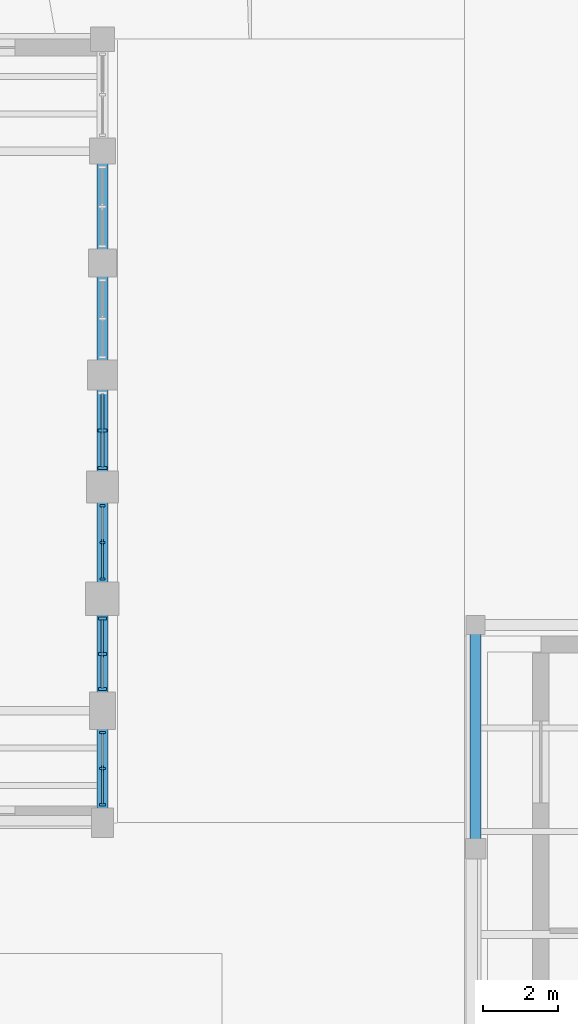
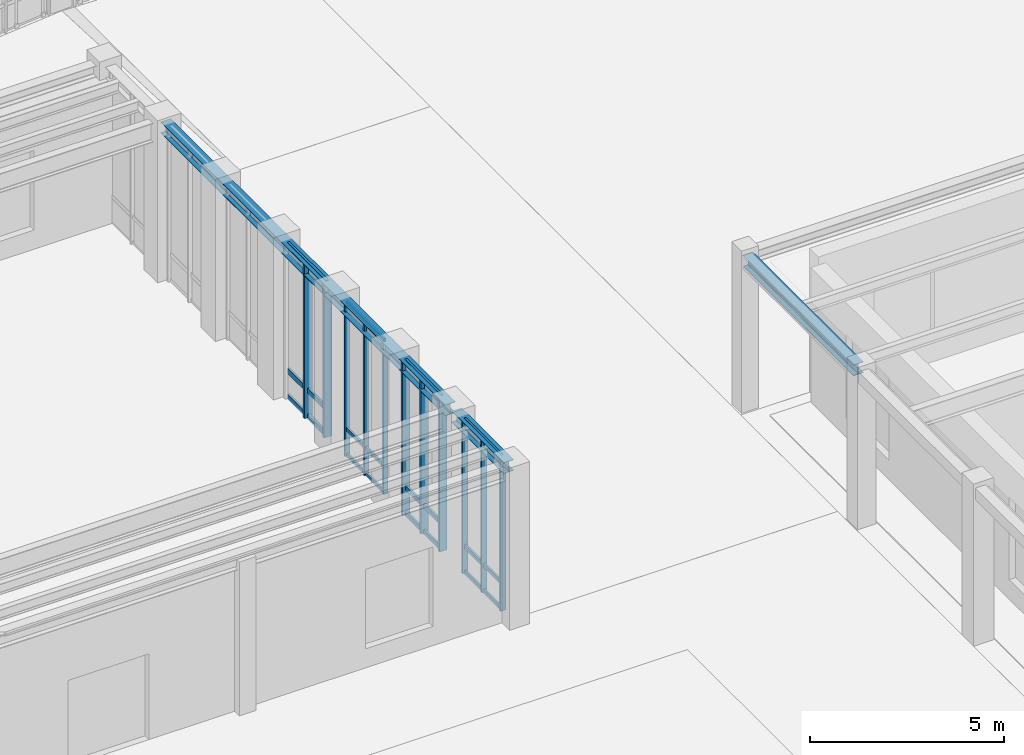
# One storey, part 12 of 68: 23 members, 3 beams, 4 elements without a shape of their own.
"""IFC4 building model written with IfcOpenShell, lengths in metres."""

from ifc_helpers import new_model, si_unit, direction, frame, origin, origin_2d, place, context, subcontext, project, spatial, rectangle, i_section, extrude, material, layer, layer_set, material_profile, profile_set, type_object, element, aggregate, save


model = new_model("IFC4")

# Units and contexts
model_context = context("Model", 3, precision=1e-05, world=origin(), true_north=direction((0.0, 1.0)))
body_context = subcontext(model_context, "Body", "Model", "MODEL_VIEW")
ifc_project = project(units=[si_unit("LENGTHUNIT", "METRE"), si_unit("AREAUNIT", "SQUARE_METRE"), si_unit("VOLUMEUNIT", "CUBIC_METRE"), si_unit("PLANEANGLEUNIT", "RADIAN"), si_unit("MASSUNIT", "GRAM", prefix="KILO"), si_unit("THERMODYNAMICTEMPERATUREUNIT", "KELVIN"), si_unit("POWERUNIT", "WATT")], contexts=[model_context])

# Site, building, storey
site_placement = place(None, origin())
site = spatial("IfcSite", under=ifc_project, at=site_placement, CompositionType="ELEMENT")
building_placement = place(site_placement, origin())
building = spatial("IfcBuilding", under=site, at=building_placement, Name="Solvatero Civic Police Headquarters", CompositionType="ELEMENT")
storey_placement = place(building_placement, origin())
storey = spatial("IfcBuildingStorey", under=building, at=storey_placement, Name="L00", CompositionType="ELEMENT", Elevation=0.0)

# Beams
ifc_material_1 = material(Name="Steel S355", Category="steel")
ifc_material_profile_1 = material_profile(ifc_material_1, i_section(OverallWidth=0.300048828125, OverallDepth=0.35009765625, WebThickness=0.010009765625, FlangeThickness=0.017578125, FilletRadius=0.027099609375, at=origin_2d()), Name="HEA 360")
ifc_profile_set_1 = profile_set([ifc_material_profile_1], Name="Steel S355")
beam_type = type_object("IfcBeamType", Name="BM-ST-HEA360", PredefinedType="SPANDREL", material=ifc_profile_set_1)
beam_1_placement = place(storey_placement, frame((88.800048828125, 41.659912109375, 4.705078125), z_axis=(0.0, 1.0, 0.0), x_axis=(-1.0, 0.0, 0.0)))
element("IfcBeam", 1, at=beam_1_placement, inside=storey, type_object=beam_type, Name="Perimeter / radial spandrel beam BM-R2-L00-V2-GY-2-1", PredefinedType="SPANDREL", context=body_context, shape_type="SweptSolid", body=[
    extrude(i_section(OverallWidth=0.300048828125, OverallDepth=0.35009765625, WebThickness=0.010009765625, FlangeThickness=0.017578125, FilletRadius=0.027099609375, at=origin_2d()), origin(), (0.0, 0.0, 1.0), 2.68017578125),
])
beam_2_placement = place(storey_placement, frame((88.800048828125, 44.659912109375, 4.705078125), z_axis=(0.0, 1.0, 0.0), x_axis=(-1.0, 0.0, 0.0)))
element("IfcBeam", 2, at=beam_2_placement, inside=storey, type_object=beam_type, Name="Perimeter / radial spandrel beam BM-R2-L00-V2-GY-2-2", PredefinedType="SPANDREL", context=body_context, shape_type="SweptSolid", body=[
    extrude(i_section(OverallWidth=0.300048828125, OverallDepth=0.35009765625, WebThickness=0.010009765625, FlangeThickness=0.017578125, FilletRadius=0.027099609375, at=origin_2d()), origin(), (0.0, 0.0, 1.0), 14.68017578125),
])
beam_3_placement = place(storey_placement, frame((98.800048828125, 40.9599609375, 4.705078125), z_axis=(0.0, 1.0, 0.0), x_axis=(-1.0, 0.0, 0.0)))
element("IfcBeam", 3, at=beam_3_placement, inside=storey, type_object=beam_type, Name="Perimeter / radial spandrel beam BM-R2-L00-V1-GY-1-3", PredefinedType="SPANDREL", context=body_context, shape_type="SweptSolid", body=[
    extrude(i_section(OverallWidth=0.300048828125, OverallDepth=0.35009765625, WebThickness=0.010009765625, FlangeThickness=0.017578125, FilletRadius=0.027099609375, at=origin_2d()), origin(), (0.0, 0.0, 1.0), 5.679931640625),
])

# Curtain wall, members
ifc_material_2 = material(Name="Anodized Bronze Aluminium", Category="aluminium")
ifc_layer = layer(ifc_material_2, 0.179931640625)
ifc_layer_set = layer_set([ifc_layer], Name="Anodized Bronze Aluminium")
curtain_wall_type = type_object("IfcCurtainWallType", Name="CW-HAL-GLZ", PredefinedType="USERDEFINED", material=ifc_layer_set)
curtain_wall_1_placement = place(storey_placement, origin())
curtain_wall_1 = element("IfcCurtainWall", 4, at=curtain_wall_1_placement, inside=storey, type_object=curtain_wall_type, Name="Curtain Wall CW-R2-L00-V2-E-B4", ObjectType="UNITISED", PredefinedType="USERDEFINED")
ifc_material_profile_2 = material_profile(ifc_material_2, rectangle(XDim=0.080078125, YDim=0.239990234375, at=origin_2d()), Name="ALU MULLION 80x240")
ifc_profile_set_2 = profile_set([ifc_material_profile_2], Name="Anodized Bronze Aluminium")
member_type_1 = type_object("IfcMemberType", Name="CWM-140x60", PredefinedType="MULLION", material=ifc_profile_set_2)
member_1_placement = place(storey_placement, frame((88.800048828125, 51.0048828125, 0.0), z_axis=(0.0, 0.0, 1.0), x_axis=(0.0, 1.0, 0.0)))
member_1 = element("IfcMember", 5, at=member_1_placement, type_object=member_type_1, Name="CW-R2-L00-V2-E-B4 Mullion 1", PredefinedType="MULLION", context=body_context, shape_type="SweptSolid", body=[
    extrude(rectangle(XDim=0.080078125, YDim=0.239990234375, at=origin_2d()), origin(), (0.0, 0.0, 1.0), 4.860107421875),
])
member_2_placement = place(storey_placement, frame((88.800048828125, 52.012451171875, 0.0), z_axis=(0.0, 0.0, 1.0), x_axis=(0.0, 1.0, 0.0)))
member_2 = element("IfcMember", 6, at=member_2_placement, type_object=member_type_1, Name="CW-R2-L00-V2-E-B4 Mullion 2", PredefinedType="MULLION", context=body_context, shape_type="SweptSolid", body=[
    extrude(rectangle(XDim=0.080078125, YDim=0.239990234375, at=origin_2d()), origin(), (0.0, 0.0, 1.0), 4.860107421875),
])

curtain_wall_2_placement = place(storey_placement, origin())
curtain_wall_2 = element("IfcCurtainWall", 7, at=curtain_wall_2_placement, inside=storey, type_object=curtain_wall_type, Name="Curtain Wall CW-R2-L00-V2-E-B3", ObjectType="UNITISED", PredefinedType="USERDEFINED")
ifc_material_profile_3 = material_profile(ifc_material_2, rectangle(XDim=0.06005859375, YDim=0.139892578125, at=origin_2d()), Name="ALU MULLION 60x140")
ifc_profile_set_3 = profile_set([ifc_material_profile_3], Name="Anodized Bronze Aluminium")
member_type_2 = type_object("IfcMemberType", Name="CWM-160x65", PredefinedType="MULLION", material=ifc_profile_set_3)
member_3_placement = place(storey_placement, frame((88.800048828125, 48.030029296875, 0.0), z_axis=(0.0, 0.0, 1.0), x_axis=(0.0, 1.0, 0.0)))
member_3 = element("IfcMember", 8, at=member_3_placement, type_object=member_type_2, Name="CW-R2-L00-V2-E-B3 Mullion 1", PredefinedType="MULLION", context=body_context, shape_type="SweptSolid", body=[
    extrude(rectangle(XDim=0.06005859375, YDim=0.139892578125, at=origin_2d()), origin(), (0.0, 0.0, 1.0), 4.860107421875),
])
member_4_placement = place(storey_placement, frame((88.800048828125, 49.012451171875, 0.0), z_axis=(0.0, 0.0, 1.0), x_axis=(0.0, 1.0, 0.0)))
member_4 = element("IfcMember", 9, at=member_4_placement, type_object=member_type_2, Name="CW-R2-L00-V2-E-B3 Mullion 2", PredefinedType="MULLION", context=body_context, shape_type="SweptSolid", body=[
    extrude(rectangle(XDim=0.06005859375, YDim=0.139892578125, at=origin_2d()), origin(), (0.0, 0.0, 1.0), 4.860107421875),
])
member_5_placement = place(storey_placement, frame((88.800048828125, 49.9951171875, 0.0), z_axis=(0.0, 0.0, 1.0), x_axis=(0.0, 1.0, 0.0)))
member_5 = element("IfcMember", 10, at=member_5_placement, type_object=member_type_2, Name="CW-R2-L00-V2-E-B3 Mullion 3", PredefinedType="MULLION", context=body_context, shape_type="SweptSolid", body=[
    extrude(rectangle(XDim=0.06005859375, YDim=0.139892578125, at=origin_2d()), origin(), (0.0, 0.0, 1.0), 4.860107421875),
])

curtain_wall_3_placement = place(storey_placement, origin())
curtain_wall_3 = element("IfcCurtainWall", 11, at=curtain_wall_3_placement, inside=storey, type_object=curtain_wall_type, Name="Curtain Wall CW-R2-L00-V2-E-B1", ObjectType="UNITISED", PredefinedType="USERDEFINED")
ifc_material_profile_4 = material_profile(ifc_material_2, rectangle(XDim=0.06005859375, YDim=0.159912109375, at=origin_2d()), Name="ALU MULLION 60x160")
ifc_profile_set_4 = profile_set([ifc_material_profile_4], Name="Anodized Bronze Aluminium")
member_type_3 = type_object("IfcMemberType", Name="CWM-180x70", PredefinedType="MULLION", material=ifc_profile_set_4)
member_6_placement = place(storey_placement, frame((88.800048828125, 41.97998046875, 0.0), z_axis=(0.0, 0.0, 1.0), x_axis=(0.0, 1.0, 0.0)))
member_6 = element("IfcMember", 12, at=member_6_placement, type_object=member_type_3, Name="CW-R2-L00-V2-E-B1 Mullion 1", PredefinedType="MULLION", context=body_context, shape_type="SweptSolid", body=[
    extrude(rectangle(XDim=0.06005859375, YDim=0.159912109375, at=origin_2d()), origin(), (0.0, 0.0, 1.0), 4.860107421875),
])
member_7_placement = place(storey_placement, frame((88.800048828125, 42.949951171875, 0.0), z_axis=(0.0, 0.0, 1.0), x_axis=(0.0, 1.0, 0.0)))
member_7 = element("IfcMember", 13, at=member_7_placement, type_object=member_type_3, Name="CW-R2-L00-V2-E-B1 Mullion 2", PredefinedType="MULLION", context=body_context, shape_type="SweptSolid", body=[
    extrude(rectangle(XDim=0.06005859375, YDim=0.159912109375, at=origin_2d()), origin(), (0.0, 0.0, 1.0), 4.860107421875),
])
member_8_placement = place(storey_placement, frame((88.800048828125, 43.919921875, 0.0), z_axis=(0.0, 0.0, 1.0), x_axis=(0.0, 1.0, 0.0)))
member_8 = element("IfcMember", 14, at=member_8_placement, type_object=member_type_3, Name="CW-R2-L00-V2-E-B1 Mullion 3", PredefinedType="MULLION", context=body_context, shape_type="SweptSolid", body=[
    extrude(rectangle(XDim=0.06005859375, YDim=0.159912109375, at=origin_2d()), origin(), (0.0, 0.0, 1.0), 4.860107421875),
])

curtain_wall_4_placement = place(storey_placement, origin())
curtain_wall_4 = element("IfcCurtainWall", 15, at=curtain_wall_4_placement, inside=storey, type_object=curtain_wall_type, Name="Curtain Wall CW-R2-L00-V2-E-B2", ObjectType="UNITISED", PredefinedType="USERDEFINED")
ifc_material_profile_5 = material_profile(ifc_material_2, rectangle(XDim=0.074951171875, YDim=0.219970703125, at=origin_2d()), Name="ALU MULLION 75x220")
ifc_profile_set_5 = profile_set([ifc_material_profile_5], Name="Anodized Bronze Aluminium")
member_type_4 = type_object("IfcMemberType", Name="CWM-250x85", PredefinedType="MULLION", material=ifc_profile_set_5)
member_9_placement = place(storey_placement, frame((88.800048828125, 45.080078125, 0.0), z_axis=(0.0, 0.0, 1.0), x_axis=(0.0, 1.0, 0.0)))
member_9 = element("IfcMember", 16, at=member_9_placement, type_object=member_type_4, Name="CW-R2-L00-V2-E-B2 Mullion 1", PredefinedType="MULLION", context=body_context, shape_type="SweptSolid", body=[
    extrude(rectangle(XDim=0.074951171875, YDim=0.219970703125, at=origin_2d()), origin(), (0.0, 0.0, 1.0), 4.860107421875),
])
member_10_placement = place(storey_placement, frame((88.800048828125, 46.02490234375, 0.0), z_axis=(0.0, 0.0, 1.0), x_axis=(0.0, 1.0, 0.0)))
member_10 = element("IfcMember", 17, at=member_10_placement, type_object=member_type_4, Name="CW-R2-L00-V2-E-B2 Mullion 2", PredefinedType="MULLION", context=body_context, shape_type="SweptSolid", body=[
    extrude(rectangle(XDim=0.074951171875, YDim=0.219970703125, at=origin_2d()), origin(), (0.0, 0.0, 1.0), 4.860107421875),
])
member_11_placement = place(storey_placement, frame((88.800048828125, 46.969970703125, 0.0), z_axis=(0.0, 0.0, 1.0), x_axis=(0.0, 1.0, 0.0)))
member_11 = element("IfcMember", 18, at=member_11_placement, type_object=member_type_4, Name="CW-R2-L00-V2-E-B2 Mullion 3", PredefinedType="MULLION", context=body_context, shape_type="SweptSolid", body=[
    extrude(rectangle(XDim=0.074951171875, YDim=0.219970703125, at=origin_2d()), origin(), (0.0, 0.0, 1.0), 4.860107421875),
])

# Member
ifc_material_profile_6 = material_profile(ifc_material_2, rectangle(XDim=0.070068359375, YDim=0.159912109375, at=origin_2d()), Name="ALU TRANSOM 70x160")
ifc_profile_set_6 = profile_set([ifc_material_profile_6], Name="Anodized Bronze Aluminium")
member_type_5 = type_object("IfcMemberType", Name="CWT-120x55", PredefinedType="USERDEFINED", material=ifc_profile_set_6)
member_12_placement = place(storey_placement, frame((88.800048828125, 51.014892578125, 0.0400390625), z_axis=(0.0, 1.0, 0.0), x_axis=(-1.0, 0.0, 0.0)))
member_12 = element("IfcMember", 19, at=member_12_placement, type_object=member_type_5, Name="CW-R2-L00-V2-E-B4 Transom 1", ObjectType="TRANSOM", PredefinedType="USERDEFINED", context=body_context, shape_type="SweptSolid", body=[
    extrude(rectangle(XDim=0.070068359375, YDim=0.159912109375, at=origin_2d()), origin(), (0.0, 0.0, 1.0), 1.9951171875),
])

member_13_placement = place(storey_placement, frame((88.800048828125, 51.014892578125, 0.85009765625), z_axis=(0.0, 1.0, 0.0), x_axis=(-1.0, 0.0, 0.0)))
member_13 = element("IfcMember", 20, at=member_13_placement, type_object=member_type_5, Name="CW-R2-L00-V2-E-B4 Transom 2", ObjectType="TRANSOM", PredefinedType="USERDEFINED", context=body_context, shape_type="SweptSolid", body=[
    extrude(rectangle(XDim=0.070068359375, YDim=0.159912109375, at=origin_2d()), origin(), (0.0, 0.0, 1.0), 1.9951171875),
])

member_14_placement = place(storey_placement, frame((88.800048828125, 51.014892578125, 4.820068359375), z_axis=(0.0, 1.0, 0.0), x_axis=(-1.0, 0.0, 0.0)))
member_14 = element("IfcMember", 21, at=member_14_placement, type_object=member_type_5, Name="CW-R2-L00-V2-E-B4 Transom 3", ObjectType="TRANSOM", PredefinedType="USERDEFINED", context=body_context, shape_type="SweptSolid", body=[
    extrude(rectangle(XDim=0.070068359375, YDim=0.159912109375, at=origin_2d()), origin(), (0.0, 0.0, 1.0), 1.9951171875),
])

aggregate(curtain_wall_1, [member_1, member_2, member_12, member_13, member_14])

ifc_material_profile_7 = material_profile(ifc_material_2, rectangle(XDim=0.06005859375, YDim=0.110107421875, at=origin_2d()), Name="ALU TRANSOM 60x110")
ifc_profile_set_7 = profile_set([ifc_material_profile_7], Name="Anodized Bronze Aluminium")
member_type_6 = type_object("IfcMemberType", Name="CWT-140x60", PredefinedType="USERDEFINED", material=ifc_profile_set_7)
member_15_placement = place(storey_placement, frame((88.800048828125, 48.0400390625, 0.0400390625), z_axis=(0.0, 1.0, 0.0), x_axis=(-1.0, 0.0, 0.0)))
member_15 = element("IfcMember", 22, at=member_15_placement, type_object=member_type_6, Name="CW-R2-L00-V2-E-B3 Transom 1", ObjectType="TRANSOM", PredefinedType="USERDEFINED", context=body_context, shape_type="SweptSolid", body=[
    extrude(rectangle(XDim=0.06005859375, YDim=0.110107421875, at=origin_2d()), origin(), (0.0, 0.0, 1.0), 1.945068359375),
])

member_16_placement = place(storey_placement, frame((88.800048828125, 48.0400390625, 0.85009765625), z_axis=(0.0, 1.0, 0.0), x_axis=(-1.0, 0.0, 0.0)))
member_16 = element("IfcMember", 23, at=member_16_placement, type_object=member_type_6, Name="CW-R2-L00-V2-E-B3 Transom 2", ObjectType="TRANSOM", PredefinedType="USERDEFINED", context=body_context, shape_type="SweptSolid", body=[
    extrude(rectangle(XDim=0.06005859375, YDim=0.110107421875, at=origin_2d()), origin(), (0.0, 0.0, 1.0), 1.945068359375),
])

member_17_placement = place(storey_placement, frame((88.800048828125, 48.0400390625, 4.820068359375), z_axis=(0.0, 1.0, 0.0), x_axis=(-1.0, 0.0, 0.0)))
member_17 = element("IfcMember", 24, at=member_17_placement, type_object=member_type_6, Name="CW-R2-L00-V2-E-B3 Transom 3", ObjectType="TRANSOM", PredefinedType="USERDEFINED", context=body_context, shape_type="SweptSolid", body=[
    extrude(rectangle(XDim=0.06005859375, YDim=0.110107421875, at=origin_2d()), origin(), (0.0, 0.0, 1.0), 1.945068359375),
])

aggregate(curtain_wall_2, [member_3, member_4, member_5, member_15, member_16, member_17])

ifc_material_profile_8 = material_profile(ifc_material_2, rectangle(XDim=0.06005859375, YDim=0.125, at=origin_2d()), Name="ALU TRANSOM 60x125")
ifc_profile_set_8 = profile_set([ifc_material_profile_8], Name="Anodized Bronze Aluminium")
member_type_7 = type_object("IfcMemberType", Name="CWT-160x65", PredefinedType="USERDEFINED", material=ifc_profile_set_8)
member_18_placement = place(storey_placement, frame((88.800048828125, 41.989990234375, 0.0400390625), z_axis=(0.0, 1.0, 0.0), x_axis=(-1.0, 0.0, 0.0)))
member_18 = element("IfcMember", 25, at=member_18_placement, type_object=member_type_7, Name="CW-R2-L00-V2-E-B1 Transom 1", ObjectType="TRANSOM", PredefinedType="USERDEFINED", context=body_context, shape_type="SweptSolid", body=[
    extrude(rectangle(XDim=0.06005859375, YDim=0.125, at=origin_2d()), origin(), (0.0, 0.0, 1.0), 1.919921875),
])

member_19_placement = place(storey_placement, frame((88.800048828125, 41.989990234375, 0.85009765625), z_axis=(0.0, 1.0, 0.0), x_axis=(-1.0, 0.0, 0.0)))
member_19 = element("IfcMember", 26, at=member_19_placement, type_object=member_type_7, Name="CW-R2-L00-V2-E-B1 Transom 2", ObjectType="TRANSOM", PredefinedType="USERDEFINED", context=body_context, shape_type="SweptSolid", body=[
    extrude(rectangle(XDim=0.06005859375, YDim=0.125, at=origin_2d()), origin(), (0.0, 0.0, 1.0), 1.919921875),
])

member_20_placement = place(storey_placement, frame((88.800048828125, 41.989990234375, 4.820068359375), z_axis=(0.0, 1.0, 0.0), x_axis=(-1.0, 0.0, 0.0)))
member_20 = element("IfcMember", 27, at=member_20_placement, type_object=member_type_7, Name="CW-R2-L00-V2-E-B1 Transom 3", ObjectType="TRANSOM", PredefinedType="USERDEFINED", context=body_context, shape_type="SweptSolid", body=[
    extrude(rectangle(XDim=0.06005859375, YDim=0.125, at=origin_2d()), origin(), (0.0, 0.0, 1.0), 1.919921875),
])

aggregate(curtain_wall_3, [member_6, member_7, member_8, member_18, member_19, member_20])

ifc_material_profile_9 = material_profile(ifc_material_2, rectangle(XDim=0.06494140625, YDim=0.139892578125, at=origin_2d()), Name="ALU TRANSOM 65x140")
ifc_profile_set_9 = profile_set([ifc_material_profile_9], Name="Anodized Bronze Aluminium")
member_type_8 = type_object("IfcMemberType", Name="CWT-180x70", PredefinedType="USERDEFINED", material=ifc_profile_set_9)
member_21_placement = place(storey_placement, frame((88.800048828125, 45.090087890625, 0.0400390625), z_axis=(0.0, 1.0, 0.0), x_axis=(-1.0, 0.0, 0.0)))
member_21 = element("IfcMember", 28, at=member_21_placement, type_object=member_type_8, Name="CW-R2-L00-V2-E-B2 Transom 1", ObjectType="TRANSOM", PredefinedType="USERDEFINED", context=body_context, shape_type="SweptSolid", body=[
    extrude(rectangle(XDim=0.06494140625, YDim=0.139892578125, at=origin_2d()), origin(), (0.0, 0.0, 1.0), 1.869873046875),
])

member_22_placement = place(storey_placement, frame((88.800048828125, 45.090087890625, 0.85009765625), z_axis=(0.0, 1.0, 0.0), x_axis=(-1.0, 0.0, 0.0)))
member_22 = element("IfcMember", 29, at=member_22_placement, type_object=member_type_8, Name="CW-R2-L00-V2-E-B2 Transom 2", ObjectType="TRANSOM", PredefinedType="USERDEFINED", context=body_context, shape_type="SweptSolid", body=[
    extrude(rectangle(XDim=0.06494140625, YDim=0.139892578125, at=origin_2d()), origin(), (0.0, 0.0, 1.0), 1.869873046875),
])

member_23_placement = place(storey_placement, frame((88.800048828125, 45.090087890625, 4.820068359375), z_axis=(0.0, 1.0, 0.0), x_axis=(-1.0, 0.0, 0.0)))
member_23 = element("IfcMember", 30, at=member_23_placement, type_object=member_type_8, Name="CW-R2-L00-V2-E-B2 Transom 3", ObjectType="TRANSOM", PredefinedType="USERDEFINED", context=body_context, shape_type="SweptSolid", body=[
    extrude(rectangle(XDim=0.06494140625, YDim=0.139892578125, at=origin_2d()), origin(), (0.0, 0.0, 1.0), 1.869873046875),
])

aggregate(curtain_wall_4, [member_9, member_10, member_11, member_21, member_22, member_23])

save(model, "model.ifc")
